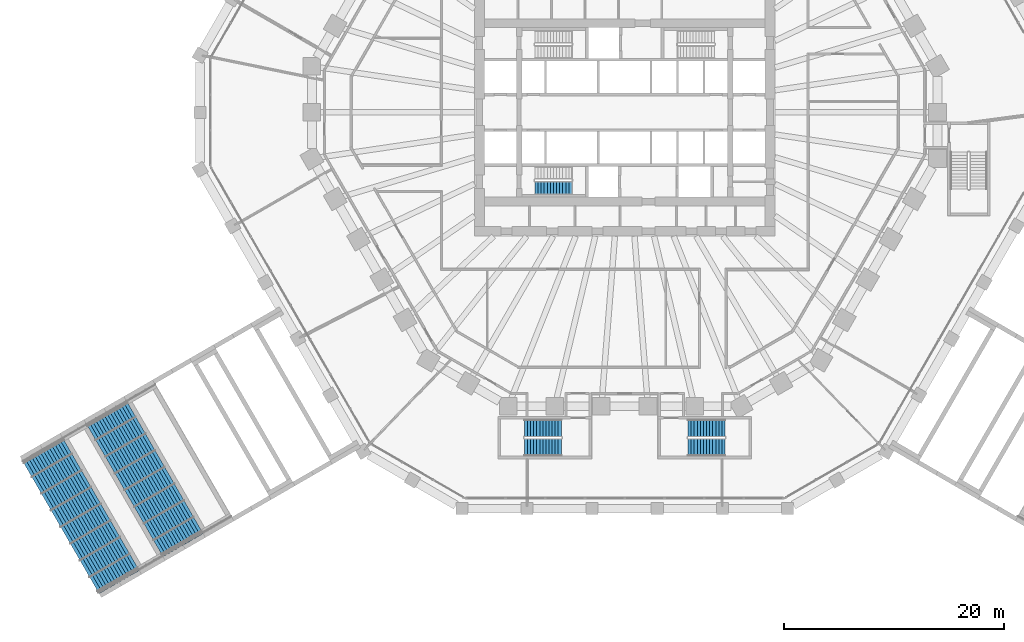
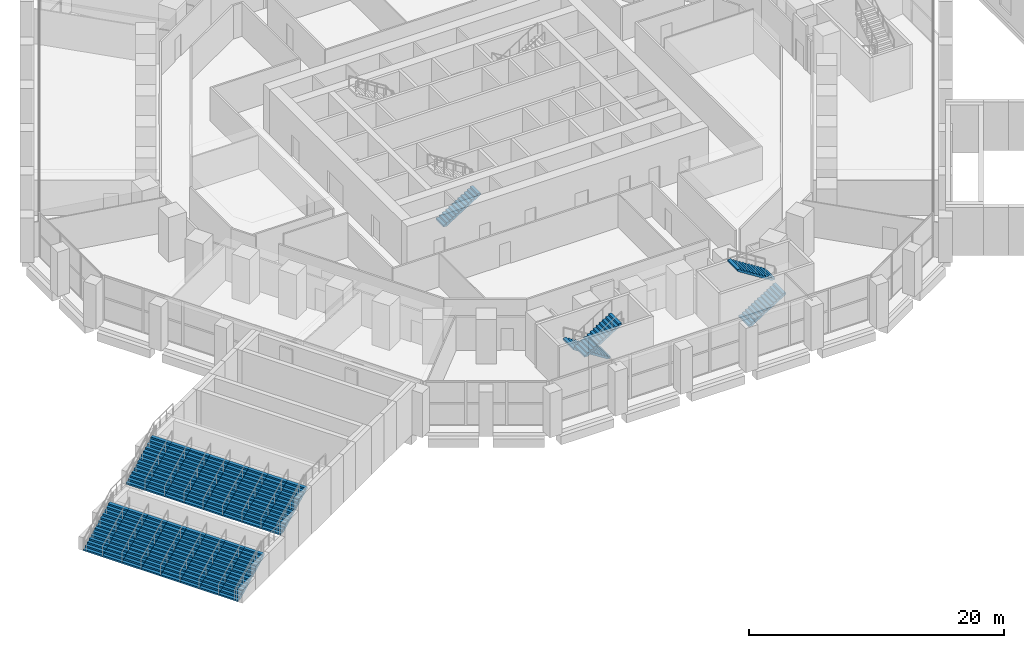
# One storey, part 29 of 38: 21 stair flights, 4 elements without a shape of their own.
"""IFC4 building model written with IfcOpenShell, lengths in metres."""

from ifc_helpers import new_model, si_unit, direction, frame, origin, place, context, subcontext, project, spatial, polyline, outline, extrude, material, layer, layer_set, type_object, element, aggregate, save


model = new_model("IFC4")

# Units and contexts
model_context = context("Model", 3, precision=1e-05, world=origin(), true_north=direction((0.0, 1.0)))
body_context = subcontext(model_context, "Body", "Model", "MODEL_VIEW")
ifc_project = project(units=[si_unit("LENGTHUNIT", "METRE"), si_unit("AREAUNIT", "SQUARE_METRE"), si_unit("VOLUMEUNIT", "CUBIC_METRE"), si_unit("PLANEANGLEUNIT", "RADIAN"), si_unit("MASSUNIT", "GRAM", prefix="KILO")], contexts=[model_context])

# Site, building, storey
site_placement = place(None, origin())
site = spatial("IfcSite", under=ifc_project, at=site_placement, CompositionType="ELEMENT")
building_placement = place(site_placement, origin())
building = spatial("IfcBuilding", under=site, at=building_placement, Name="Frailejon Research Tower", CompositionType="ELEMENT")
storey_placement = place(building_placement, frame((0.0, 0.0, 5.60009765625)))
storey = spatial("IfcBuildingStorey", under=building, at=storey_placement, Name="L01", CompositionType="ELEMENT", Elevation=5.60009765625)

# Stair, stair flights
ifc_material_1 = material(Name="Concrete C35/45", Category="concrete")
stair_type_1 = type_object("IfcStairType", Name="Broad stair", PredefinedType="STRAIGHT_RUN_STAIR", material=ifc_material_1)
stair_1_placement = place(storey_placement, origin())
stair_1 = element("IfcStair", 1, at=stair_1_placement, inside=storey, type_object=stair_type_1, Name="Broad stair W2", PredefinedType="STRAIGHT_RUN_STAIR")
ifc_material_2 = material(Name="Concrete C35/45", Category="concrete")
stair_flight_type_1 = type_object("IfcStairFlightType", Name="Broad stair flight", PredefinedType="STRAIGHT", material=ifc_material_2)
stair_flight_1_placement = place(storey_placement, frame((-48.492919921875, -29.0078125, 2.2998046875), z_axis=(0.0, 0.0, 1.0), x_axis=(0.866025403784, 0.5, 0.0)))
stair_flight_1 = element("IfcStairFlight", 2, at=stair_flight_1_placement, type_object=stair_flight_type_1, Name="SS-W2 flight 1", NumberOfRisers=15, NumberOfTreads=14, PredefinedType="STRAIGHT", RiserHeight=0.153333333, TreadLength=0.3, context=body_context, shape_type="SweptSolid", body=[
    extrude(outline(polyline([(0.0, 0.0), (0.0, 0.1533203125), (0.300048828125, 0.1533203125), (0.300048828125, 0.306640625), (0.60009765625, 0.306640625), (0.60009765625, 0.4599609375), (0.89990234375, 0.4599609375), (0.89990234375, 0.61328125), (1.199951171875, 0.61328125), (1.199951171875, 0.7666015625), (1.5, 0.7666015625), (1.5, 0.919921875), (1.800048828125, 0.919921875), (1.800048828125, 1.0732421875), (2.10009765625, 1.0732421875), (2.10009765625, 1.2265625), (2.39990234375, 1.2265625), (2.39990234375, 1.3798828125), (2.699951171875, 1.3798828125), (2.699951171875, 1.533447265625), (3.0, 1.533447265625), (3.0, 1.686767578125), (3.300048828125, 1.686767578125), (3.300048828125, 1.840087890625), (3.60009765625, 1.840087890625), (3.60009765625, 1.993408203125), (3.89990234375, 1.993408203125), (3.89990234375, 2.146728515625), (4.199951171875, 2.146728515625), (4.199951171875, 2.300048828125), (4.199951171875, 1.922119140625), (0.439453125, 0.0), (0.0, 0.0)])), frame((0.0, 0.875, 0.0), z_axis=(0.0, -1.0, 0.0), x_axis=(1.0, 0.0, 0.0)), (0.0, 0.0, 1.0), 1.75),
])
stair_flight_2_placement = place(storey_placement, frame((-47.617919921875, -30.523193359375, 2.2998046875), z_axis=(0.0, 0.0, 1.0), x_axis=(0.866025403784, 0.5, 0.0)))
stair_flight_2 = element("IfcStairFlight", 3, at=stair_flight_2_placement, type_object=stair_flight_type_1, Name="SS-W2 flight 2", NumberOfRisers=15, NumberOfTreads=14, PredefinedType="STRAIGHT", RiserHeight=0.153333333, TreadLength=0.3, context=body_context, shape_type="SweptSolid", body=[
    extrude(outline(polyline([(0.0, 0.0), (0.0, 0.1533203125), (0.300048828125, 0.1533203125), (0.300048828125, 0.306640625), (0.60009765625, 0.306640625), (0.60009765625, 0.4599609375), (0.89990234375, 0.4599609375), (0.89990234375, 0.61328125), (1.199951171875, 0.61328125), (1.199951171875, 0.7666015625), (1.5, 0.7666015625), (1.5, 0.919921875), (1.800048828125, 0.919921875), (1.800048828125, 1.0732421875), (2.10009765625, 1.0732421875), (2.10009765625, 1.2265625), (2.39990234375, 1.2265625), (2.39990234375, 1.3798828125), (2.699951171875, 1.3798828125), (2.699951171875, 1.533447265625), (3.0, 1.533447265625), (3.0, 1.686767578125), (3.300048828125, 1.686767578125), (3.300048828125, 1.840087890625), (3.60009765625, 1.840087890625), (3.60009765625, 1.993408203125), (3.89990234375, 1.993408203125), (3.89990234375, 2.146728515625), (4.199951171875, 2.146728515625), (4.199951171875, 2.300048828125), (4.199951171875, 1.922119140625), (0.439453125, 0.0), (0.0, 0.0)])), frame((0.0, 0.875, 0.0), z_axis=(0.0, -1.0, 0.0), x_axis=(1.0, 0.0, 0.0)), (0.0, 0.0, 1.0), 1.75),
])
stair_flight_3_placement = place(storey_placement, frame((-46.742919921875, -32.038818359375, 2.2998046875), z_axis=(0.0, 0.0, 1.0), x_axis=(0.866025403784, 0.5, 0.0)))
stair_flight_3 = element("IfcStairFlight", 4, at=stair_flight_3_placement, type_object=stair_flight_type_1, Name="SS-W2 flight 3", NumberOfRisers=15, NumberOfTreads=14, PredefinedType="STRAIGHT", RiserHeight=0.153333333, TreadLength=0.3, context=body_context, shape_type="SweptSolid", body=[
    extrude(outline(polyline([(0.0, 0.0), (0.0, 0.1533203125), (0.300048828125, 0.1533203125), (0.300048828125, 0.306640625), (0.60009765625, 0.306640625), (0.60009765625, 0.4599609375), (0.89990234375, 0.4599609375), (0.89990234375, 0.61328125), (1.199951171875, 0.61328125), (1.199951171875, 0.7666015625), (1.5, 0.7666015625), (1.5, 0.919921875), (1.800048828125, 0.919921875), (1.800048828125, 1.0732421875), (2.10009765625, 1.0732421875), (2.10009765625, 1.2265625), (2.39990234375, 1.2265625), (2.39990234375, 1.3798828125), (2.699951171875, 1.3798828125), (2.699951171875, 1.533447265625), (3.0, 1.533447265625), (3.0, 1.686767578125), (3.300048828125, 1.686767578125), (3.300048828125, 1.840087890625), (3.60009765625, 1.840087890625), (3.60009765625, 1.993408203125), (3.89990234375, 1.993408203125), (3.89990234375, 2.146728515625), (4.199951171875, 2.146728515625), (4.199951171875, 2.300048828125), (4.199951171875, 1.922119140625), (0.439453125, 0.0), (0.0, 0.0)])), frame((0.0, 0.875, 0.0), z_axis=(0.0, -1.0, 0.0), x_axis=(1.0, 0.0, 0.0)), (0.0, 0.0, 1.0), 1.75),
])
stair_flight_4_placement = place(storey_placement, frame((-45.867919921875, -33.554443359375, 2.2998046875), z_axis=(0.0, 0.0, 1.0), x_axis=(0.866025403784, 0.5, 0.0)))
stair_flight_4 = element("IfcStairFlight", 5, at=stair_flight_4_placement, type_object=stair_flight_type_1, Name="SS-W2 flight 4", NumberOfRisers=15, NumberOfTreads=14, PredefinedType="STRAIGHT", RiserHeight=0.153333333, TreadLength=0.3, context=body_context, shape_type="SweptSolid", body=[
    extrude(outline(polyline([(0.0, 0.0), (0.0, 0.1533203125), (0.300048828125, 0.1533203125), (0.300048828125, 0.306640625), (0.60009765625, 0.306640625), (0.60009765625, 0.4599609375), (0.89990234375, 0.4599609375), (0.89990234375, 0.61328125), (1.199951171875, 0.61328125), (1.199951171875, 0.7666015625), (1.5, 0.7666015625), (1.5, 0.919921875), (1.800048828125, 0.919921875), (1.800048828125, 1.0732421875), (2.10009765625, 1.0732421875), (2.10009765625, 1.2265625), (2.39990234375, 1.2265625), (2.39990234375, 1.3798828125), (2.699951171875, 1.3798828125), (2.699951171875, 1.533447265625), (3.0, 1.533447265625), (3.0, 1.686767578125), (3.300048828125, 1.686767578125), (3.300048828125, 1.840087890625), (3.60009765625, 1.840087890625), (3.60009765625, 1.993408203125), (3.89990234375, 1.993408203125), (3.89990234375, 2.146728515625), (4.199951171875, 2.146728515625), (4.199951171875, 2.300048828125), (4.199951171875, 1.922119140625), (0.439453125, 0.0), (0.0, 0.0)])), frame((0.0, 0.875, 0.0), z_axis=(0.0, -1.0, 0.0), x_axis=(1.0, 0.0, 0.0)), (0.0, 0.0, 1.0), 1.75),
])
stair_flight_5_placement = place(storey_placement, frame((-44.992919921875, -35.070068359375, 2.2998046875), z_axis=(0.0, 0.0, 1.0), x_axis=(0.866025403784, 0.5, 0.0)))
stair_flight_5 = element("IfcStairFlight", 6, at=stair_flight_5_placement, type_object=stair_flight_type_1, Name="SS-W2 flight 5", NumberOfRisers=15, NumberOfTreads=14, PredefinedType="STRAIGHT", RiserHeight=0.153333333, TreadLength=0.3, context=body_context, shape_type="SweptSolid", body=[
    extrude(outline(polyline([(0.0, 0.0), (0.0, 0.1533203125), (0.300048828125, 0.1533203125), (0.300048828125, 0.306640625), (0.60009765625, 0.306640625), (0.60009765625, 0.4599609375), (0.89990234375, 0.4599609375), (0.89990234375, 0.61328125), (1.199951171875, 0.61328125), (1.199951171875, 0.7666015625), (1.5, 0.7666015625), (1.5, 0.919921875), (1.800048828125, 0.919921875), (1.800048828125, 1.0732421875), (2.10009765625, 1.0732421875), (2.10009765625, 1.2265625), (2.39990234375, 1.2265625), (2.39990234375, 1.3798828125), (2.699951171875, 1.3798828125), (2.699951171875, 1.533447265625), (3.0, 1.533447265625), (3.0, 1.686767578125), (3.300048828125, 1.686767578125), (3.300048828125, 1.840087890625), (3.60009765625, 1.840087890625), (3.60009765625, 1.993408203125), (3.89990234375, 1.993408203125), (3.89990234375, 2.146728515625), (4.199951171875, 2.146728515625), (4.199951171875, 2.300048828125), (4.199951171875, 1.922119140625), (0.439453125, 0.0), (0.0, 0.0)])), frame((0.0, 0.875, 0.0), z_axis=(0.0, -1.0, 0.0), x_axis=(1.0, 0.0, 0.0)), (0.0, 0.0, 1.0), 1.75),
])
stair_flight_6_placement = place(storey_placement, frame((-44.117919921875, -36.58544921875, 2.2998046875), z_axis=(0.0, 0.0, 1.0), x_axis=(0.866025403784, 0.5, 0.0)))
stair_flight_6 = element("IfcStairFlight", 7, at=stair_flight_6_placement, type_object=stair_flight_type_1, Name="SS-W2 flight 6", NumberOfRisers=15, NumberOfTreads=14, PredefinedType="STRAIGHT", RiserHeight=0.153333333, TreadLength=0.3, context=body_context, shape_type="SweptSolid", body=[
    extrude(outline(polyline([(0.0, 0.0), (0.0, 0.1533203125), (0.300048828125, 0.1533203125), (0.300048828125, 0.306640625), (0.60009765625, 0.306640625), (0.60009765625, 0.4599609375), (0.89990234375, 0.4599609375), (0.89990234375, 0.61328125), (1.199951171875, 0.61328125), (1.199951171875, 0.7666015625), (1.5, 0.7666015625), (1.5, 0.919921875), (1.800048828125, 0.919921875), (1.800048828125, 1.0732421875), (2.10009765625, 1.0732421875), (2.10009765625, 1.2265625), (2.39990234375, 1.2265625), (2.39990234375, 1.3798828125), (2.699951171875, 1.3798828125), (2.699951171875, 1.533447265625), (3.0, 1.533447265625), (3.0, 1.686767578125), (3.300048828125, 1.686767578125), (3.300048828125, 1.840087890625), (3.60009765625, 1.840087890625), (3.60009765625, 1.993408203125), (3.89990234375, 1.993408203125), (3.89990234375, 2.146728515625), (4.199951171875, 2.146728515625), (4.199951171875, 2.300048828125), (4.199951171875, 1.922119140625), (0.439453125, 0.0), (0.0, 0.0)])), frame((0.0, 0.875, 0.0), z_axis=(0.0, -1.0, 0.0), x_axis=(1.0, 0.0, 0.0)), (0.0, 0.0, 1.0), 1.75),
])
stair_flight_7_placement = place(storey_placement, frame((-43.242919921875, -38.10107421875, 2.2998046875), z_axis=(0.0, 0.0, 1.0), x_axis=(0.866025403784, 0.5, 0.0)))
stair_flight_7 = element("IfcStairFlight", 8, at=stair_flight_7_placement, type_object=stair_flight_type_1, Name="SS-W2 flight 7", NumberOfRisers=15, NumberOfTreads=14, PredefinedType="STRAIGHT", RiserHeight=0.153333333, TreadLength=0.3, context=body_context, shape_type="SweptSolid", body=[
    extrude(outline(polyline([(0.0, 0.0), (0.0, 0.1533203125), (0.300048828125, 0.1533203125), (0.300048828125, 0.306640625), (0.60009765625, 0.306640625), (0.60009765625, 0.4599609375), (0.89990234375, 0.4599609375), (0.89990234375, 0.61328125), (1.199951171875, 0.61328125), (1.199951171875, 0.7666015625), (1.5, 0.7666015625), (1.5, 0.919921875), (1.800048828125, 0.919921875), (1.800048828125, 1.0732421875), (2.10009765625, 1.0732421875), (2.10009765625, 1.2265625), (2.39990234375, 1.2265625), (2.39990234375, 1.3798828125), (2.699951171875, 1.3798828125), (2.699951171875, 1.533447265625), (3.0, 1.533447265625), (3.0, 1.686767578125), (3.300048828125, 1.686767578125), (3.300048828125, 1.840087890625), (3.60009765625, 1.840087890625), (3.60009765625, 1.993408203125), (3.89990234375, 1.993408203125), (3.89990234375, 2.146728515625), (4.199951171875, 2.146728515625), (4.199951171875, 2.300048828125), (4.199951171875, 1.922119140625), (0.439453125, 0.0), (0.0, 0.0)])), frame((0.0, 0.875, 0.0), z_axis=(0.0, -1.0, 0.0), x_axis=(1.0, 0.0, 0.0)), (0.0, 0.0, 1.0), 1.75),
])
stair_flight_8_placement = place(storey_placement, frame((-42.367919921875, -39.61669921875, 2.2998046875), z_axis=(0.0, 0.0, 1.0), x_axis=(0.866025403784, 0.5, 0.0)))
stair_flight_8 = element("IfcStairFlight", 9, at=stair_flight_8_placement, type_object=stair_flight_type_1, Name="SS-W2 flight 8", NumberOfRisers=15, NumberOfTreads=14, PredefinedType="STRAIGHT", RiserHeight=0.153333333, TreadLength=0.3, context=body_context, shape_type="SweptSolid", body=[
    extrude(outline(polyline([(0.0, 0.0), (0.0, 0.1533203125), (0.300048828125, 0.1533203125), (0.300048828125, 0.306640625), (0.60009765625, 0.306640625), (0.60009765625, 0.4599609375), (0.89990234375, 0.4599609375), (0.89990234375, 0.61328125), (1.199951171875, 0.61328125), (1.199951171875, 0.7666015625), (1.5, 0.7666015625), (1.5, 0.919921875), (1.800048828125, 0.919921875), (1.800048828125, 1.0732421875), (2.10009765625, 1.0732421875), (2.10009765625, 1.2265625), (2.39990234375, 1.2265625), (2.39990234375, 1.3798828125), (2.699951171875, 1.3798828125), (2.699951171875, 1.533447265625), (3.0, 1.533447265625), (3.0, 1.686767578125), (3.300048828125, 1.686767578125), (3.300048828125, 1.840087890625), (3.60009765625, 1.840087890625), (3.60009765625, 1.993408203125), (3.89990234375, 1.993408203125), (3.89990234375, 2.146728515625), (4.199951171875, 2.146728515625), (4.199951171875, 2.300048828125), (4.199951171875, 1.922119140625), (0.439453125, 0.0), (0.0, 0.0)])), frame((0.0, 0.875, 0.0), z_axis=(0.0, -1.0, 0.0), x_axis=(1.0, 0.0, 0.0)), (0.0, 0.0, 1.0), 1.75),
])
stair_flight_9_placement = place(storey_placement, frame((-54.29541015625, -32.35791015625, 0.0), z_axis=(0.0, 0.0, 1.0), x_axis=(0.866025403784, 0.5, 0.0)))
stair_flight_9 = element("IfcStairFlight", 10, at=stair_flight_9_placement, type_object=stair_flight_type_1, Name="SS-W2 flight 9", NumberOfRisers=15, NumberOfTreads=14, PredefinedType="STRAIGHT", RiserHeight=0.153333333, TreadLength=0.3, context=body_context, shape_type="SweptSolid", body=[
    extrude(outline(polyline([(0.0, 0.0), (0.0, 0.1533203125), (0.300048828125, 0.1533203125), (0.300048828125, 0.306640625), (0.60009765625, 0.306640625), (0.60009765625, 0.4599609375), (0.89990234375, 0.4599609375), (0.89990234375, 0.61328125), (1.199951171875, 0.61328125), (1.199951171875, 0.7666015625), (1.5, 0.7666015625), (1.5, 0.919921875), (1.800048828125, 0.919921875), (1.800048828125, 1.0732421875), (2.10009765625, 1.0732421875), (2.10009765625, 1.2265625), (2.39990234375, 1.2265625), (2.39990234375, 1.3798828125), (2.699951171875, 1.3798828125), (2.699951171875, 1.533447265625), (3.0, 1.533447265625), (3.0, 1.686767578125), (3.300048828125, 1.686767578125), (3.300048828125, 1.840087890625), (3.60009765625, 1.840087890625), (3.60009765625, 1.993408203125), (3.89990234375, 1.993408203125), (3.89990234375, 2.146728515625), (4.199951171875, 2.146728515625), (4.199951171875, 2.300048828125), (4.199951171875, 1.922119140625), (0.439453125, 0.0), (0.0, 0.0)])), frame((0.0, 0.875, 0.0), z_axis=(0.0, -1.0, 0.0), x_axis=(1.0, 0.0, 0.0)), (0.0, 0.0, 1.0), 1.75),
])
stair_flight_10_placement = place(storey_placement, frame((-53.42041015625, -33.873291015625, 0.0), z_axis=(0.0, 0.0, 1.0), x_axis=(0.866025403784, 0.5, 0.0)))
stair_flight_10 = element("IfcStairFlight", 11, at=stair_flight_10_placement, type_object=stair_flight_type_1, Name="SS-W2 flight 10", NumberOfRisers=15, NumberOfTreads=14, PredefinedType="STRAIGHT", RiserHeight=0.153333333, TreadLength=0.3, context=body_context, shape_type="SweptSolid", body=[
    extrude(outline(polyline([(0.0, 0.0), (0.0, 0.1533203125), (0.300048828125, 0.1533203125), (0.300048828125, 0.306640625), (0.60009765625, 0.306640625), (0.60009765625, 0.4599609375), (0.89990234375, 0.4599609375), (0.89990234375, 0.61328125), (1.199951171875, 0.61328125), (1.199951171875, 0.7666015625), (1.5, 0.7666015625), (1.5, 0.919921875), (1.800048828125, 0.919921875), (1.800048828125, 1.0732421875), (2.10009765625, 1.0732421875), (2.10009765625, 1.2265625), (2.39990234375, 1.2265625), (2.39990234375, 1.3798828125), (2.699951171875, 1.3798828125), (2.699951171875, 1.533447265625), (3.0, 1.533447265625), (3.0, 1.686767578125), (3.300048828125, 1.686767578125), (3.300048828125, 1.840087890625), (3.60009765625, 1.840087890625), (3.60009765625, 1.993408203125), (3.89990234375, 1.993408203125), (3.89990234375, 2.146728515625), (4.199951171875, 2.146728515625), (4.199951171875, 2.300048828125), (4.199951171875, 1.922119140625), (0.439453125, 0.0), (0.0, 0.0)])), frame((0.0, 0.875, 0.0), z_axis=(0.0, -1.0, 0.0), x_axis=(1.0, 0.0, 0.0)), (0.0, 0.0, 1.0), 1.75),
])
stair_flight_11_placement = place(storey_placement, frame((-52.54541015625, -35.388916015625, 0.0), z_axis=(0.0, 0.0, 1.0), x_axis=(0.866025403784, 0.5, 0.0)))
stair_flight_11 = element("IfcStairFlight", 12, at=stair_flight_11_placement, type_object=stair_flight_type_1, Name="SS-W2 flight 11", NumberOfRisers=15, NumberOfTreads=14, PredefinedType="STRAIGHT", RiserHeight=0.153333333, TreadLength=0.3, context=body_context, shape_type="SweptSolid", body=[
    extrude(outline(polyline([(0.0, 0.0), (0.0, 0.1533203125), (0.300048828125, 0.1533203125), (0.300048828125, 0.306640625), (0.60009765625, 0.306640625), (0.60009765625, 0.4599609375), (0.89990234375, 0.4599609375), (0.89990234375, 0.61328125), (1.199951171875, 0.61328125), (1.199951171875, 0.7666015625), (1.5, 0.7666015625), (1.5, 0.919921875), (1.800048828125, 0.919921875), (1.800048828125, 1.0732421875), (2.10009765625, 1.0732421875), (2.10009765625, 1.2265625), (2.39990234375, 1.2265625), (2.39990234375, 1.3798828125), (2.699951171875, 1.3798828125), (2.699951171875, 1.533447265625), (3.0, 1.533447265625), (3.0, 1.686767578125), (3.300048828125, 1.686767578125), (3.300048828125, 1.840087890625), (3.60009765625, 1.840087890625), (3.60009765625, 1.993408203125), (3.89990234375, 1.993408203125), (3.89990234375, 2.146728515625), (4.199951171875, 2.146728515625), (4.199951171875, 2.300048828125), (4.199951171875, 1.922119140625), (0.439453125, 0.0), (0.0, 0.0)])), frame((0.0, 0.875, 0.0), z_axis=(0.0, -1.0, 0.0), x_axis=(1.0, 0.0, 0.0)), (0.0, 0.0, 1.0), 1.75),
])
stair_flight_12_placement = place(storey_placement, frame((-51.67041015625, -36.904296875, 0.0), z_axis=(0.0, 0.0, 1.0), x_axis=(0.866025403784, 0.5, 0.0)))
stair_flight_12 = element("IfcStairFlight", 13, at=stair_flight_12_placement, type_object=stair_flight_type_1, Name="SS-W2 flight 12", NumberOfRisers=15, NumberOfTreads=14, PredefinedType="STRAIGHT", RiserHeight=0.153333333, TreadLength=0.3, context=body_context, shape_type="SweptSolid", body=[
    extrude(outline(polyline([(0.0, 0.0), (0.0, 0.1533203125), (0.300048828125, 0.1533203125), (0.300048828125, 0.306640625), (0.60009765625, 0.306640625), (0.60009765625, 0.4599609375), (0.89990234375, 0.4599609375), (0.89990234375, 0.61328125), (1.199951171875, 0.61328125), (1.199951171875, 0.7666015625), (1.5, 0.7666015625), (1.5, 0.919921875), (1.800048828125, 0.919921875), (1.800048828125, 1.0732421875), (2.10009765625, 1.0732421875), (2.10009765625, 1.2265625), (2.39990234375, 1.2265625), (2.39990234375, 1.3798828125), (2.699951171875, 1.3798828125), (2.699951171875, 1.533447265625), (3.0, 1.533447265625), (3.0, 1.686767578125), (3.300048828125, 1.686767578125), (3.300048828125, 1.840087890625), (3.60009765625, 1.840087890625), (3.60009765625, 1.993408203125), (3.89990234375, 1.993408203125), (3.89990234375, 2.146728515625), (4.199951171875, 2.146728515625), (4.199951171875, 2.300048828125), (4.199951171875, 1.922119140625), (0.439453125, 0.0), (0.0, 0.0)])), frame((0.0, 0.875, 0.0), z_axis=(0.0, -1.0, 0.0), x_axis=(1.0, 0.0, 0.0)), (0.0, 0.0, 1.0), 1.75),
])
stair_flight_13_placement = place(storey_placement, frame((-50.79541015625, -38.419921875, 0.0), z_axis=(0.0, 0.0, 1.0), x_axis=(0.866025403784, 0.5, 0.0)))
stair_flight_13 = element("IfcStairFlight", 14, at=stair_flight_13_placement, type_object=stair_flight_type_1, Name="SS-W2 flight 13", NumberOfRisers=15, NumberOfTreads=14, PredefinedType="STRAIGHT", RiserHeight=0.153333333, TreadLength=0.3, context=body_context, shape_type="SweptSolid", body=[
    extrude(outline(polyline([(0.0, 0.0), (0.0, 0.1533203125), (0.300048828125, 0.1533203125), (0.300048828125, 0.306640625), (0.60009765625, 0.306640625), (0.60009765625, 0.4599609375), (0.89990234375, 0.4599609375), (0.89990234375, 0.61328125), (1.199951171875, 0.61328125), (1.199951171875, 0.7666015625), (1.5, 0.7666015625), (1.5, 0.919921875), (1.800048828125, 0.919921875), (1.800048828125, 1.0732421875), (2.10009765625, 1.0732421875), (2.10009765625, 1.2265625), (2.39990234375, 1.2265625), (2.39990234375, 1.3798828125), (2.699951171875, 1.3798828125), (2.699951171875, 1.533447265625), (3.0, 1.533447265625), (3.0, 1.686767578125), (3.300048828125, 1.686767578125), (3.300048828125, 1.840087890625), (3.60009765625, 1.840087890625), (3.60009765625, 1.993408203125), (3.89990234375, 1.993408203125), (3.89990234375, 2.146728515625), (4.199951171875, 2.146728515625), (4.199951171875, 2.300048828125), (4.199951171875, 1.922119140625), (0.439453125, 0.0), (0.0, 0.0)])), frame((0.0, 0.875, 0.0), z_axis=(0.0, -1.0, 0.0), x_axis=(1.0, 0.0, 0.0)), (0.0, 0.0, 1.0), 1.75),
])
stair_flight_14_placement = place(storey_placement, frame((-49.92041015625, -39.935546875, 0.0), z_axis=(0.0, 0.0, 1.0), x_axis=(0.866025403784, 0.5, 0.0)))
stair_flight_14 = element("IfcStairFlight", 15, at=stair_flight_14_placement, type_object=stair_flight_type_1, Name="SS-W2 flight 14", NumberOfRisers=15, NumberOfTreads=14, PredefinedType="STRAIGHT", RiserHeight=0.153333333, TreadLength=0.3, context=body_context, shape_type="SweptSolid", body=[
    extrude(outline(polyline([(0.0, 0.0), (0.0, 0.1533203125), (0.300048828125, 0.1533203125), (0.300048828125, 0.306640625), (0.60009765625, 0.306640625), (0.60009765625, 0.4599609375), (0.89990234375, 0.4599609375), (0.89990234375, 0.61328125), (1.199951171875, 0.61328125), (1.199951171875, 0.7666015625), (1.5, 0.7666015625), (1.5, 0.919921875), (1.800048828125, 0.919921875), (1.800048828125, 1.0732421875), (2.10009765625, 1.0732421875), (2.10009765625, 1.2265625), (2.39990234375, 1.2265625), (2.39990234375, 1.3798828125), (2.699951171875, 1.3798828125), (2.699951171875, 1.533447265625), (3.0, 1.533447265625), (3.0, 1.686767578125), (3.300048828125, 1.686767578125), (3.300048828125, 1.840087890625), (3.60009765625, 1.840087890625), (3.60009765625, 1.993408203125), (3.89990234375, 1.993408203125), (3.89990234375, 2.146728515625), (4.199951171875, 2.146728515625), (4.199951171875, 2.300048828125), (4.199951171875, 1.922119140625), (0.439453125, 0.0), (0.0, 0.0)])), frame((0.0, 0.875, 0.0), z_axis=(0.0, -1.0, 0.0), x_axis=(1.0, 0.0, 0.0)), (0.0, 0.0, 1.0), 1.75),
])
stair_flight_15_placement = place(storey_placement, frame((-49.04541015625, -41.450927734375, 0.0), z_axis=(0.0, 0.0, 1.0), x_axis=(0.866025403784, 0.5, 0.0)))
stair_flight_15 = element("IfcStairFlight", 16, at=stair_flight_15_placement, type_object=stair_flight_type_1, Name="SS-W2 flight 15", NumberOfRisers=15, NumberOfTreads=14, PredefinedType="STRAIGHT", RiserHeight=0.153333333, TreadLength=0.3, context=body_context, shape_type="SweptSolid", body=[
    extrude(outline(polyline([(0.0, 0.0), (0.0, 0.1533203125), (0.300048828125, 0.1533203125), (0.300048828125, 0.306640625), (0.60009765625, 0.306640625), (0.60009765625, 0.4599609375), (0.89990234375, 0.4599609375), (0.89990234375, 0.61328125), (1.199951171875, 0.61328125), (1.199951171875, 0.7666015625), (1.5, 0.7666015625), (1.5, 0.919921875), (1.800048828125, 0.919921875), (1.800048828125, 1.0732421875), (2.10009765625, 1.0732421875), (2.10009765625, 1.2265625), (2.39990234375, 1.2265625), (2.39990234375, 1.3798828125), (2.699951171875, 1.3798828125), (2.699951171875, 1.533447265625), (3.0, 1.533447265625), (3.0, 1.686767578125), (3.300048828125, 1.686767578125), (3.300048828125, 1.840087890625), (3.60009765625, 1.840087890625), (3.60009765625, 1.993408203125), (3.89990234375, 1.993408203125), (3.89990234375, 2.146728515625), (4.199951171875, 2.146728515625), (4.199951171875, 2.300048828125), (4.199951171875, 1.922119140625), (0.439453125, 0.0), (0.0, 0.0)])), frame((0.0, 0.875, 0.0), z_axis=(0.0, -1.0, 0.0), x_axis=(1.0, 0.0, 0.0)), (0.0, 0.0, 1.0), 1.75),
])
stair_flight_16_placement = place(storey_placement, frame((-48.17041015625, -42.966552734375, 0.0), z_axis=(0.0, 0.0, 1.0), x_axis=(0.866025403784, 0.5, 0.0)))
stair_flight_16 = element("IfcStairFlight", 17, at=stair_flight_16_placement, type_object=stair_flight_type_1, Name="SS-W2 flight 16", NumberOfRisers=15, NumberOfTreads=14, PredefinedType="STRAIGHT", RiserHeight=0.153333333, TreadLength=0.3, context=body_context, shape_type="SweptSolid", body=[
    extrude(outline(polyline([(0.0, 0.0), (0.0, 0.1533203125), (0.300048828125, 0.1533203125), (0.300048828125, 0.306640625), (0.60009765625, 0.306640625), (0.60009765625, 0.4599609375), (0.89990234375, 0.4599609375), (0.89990234375, 0.61328125), (1.199951171875, 0.61328125), (1.199951171875, 0.7666015625), (1.5, 0.7666015625), (1.5, 0.919921875), (1.800048828125, 0.919921875), (1.800048828125, 1.0732421875), (2.10009765625, 1.0732421875), (2.10009765625, 1.2265625), (2.39990234375, 1.2265625), (2.39990234375, 1.3798828125), (2.699951171875, 1.3798828125), (2.699951171875, 1.533447265625), (3.0, 1.533447265625), (3.0, 1.686767578125), (3.300048828125, 1.686767578125), (3.300048828125, 1.840087890625), (3.60009765625, 1.840087890625), (3.60009765625, 1.993408203125), (3.89990234375, 1.993408203125), (3.89990234375, 2.146728515625), (4.199951171875, 2.146728515625), (4.199951171875, 2.300048828125), (4.199951171875, 1.922119140625), (0.439453125, 0.0), (0.0, 0.0)])), frame((0.0, 0.875, 0.0), z_axis=(0.0, -1.0, 0.0), x_axis=(1.0, 0.0, 0.0)), (0.0, 0.0, 1.0), 1.75),
])
aggregate(stair_1, [stair_flight_1, stair_flight_2, stair_flight_3, stair_flight_4, stair_flight_5, stair_flight_6, stair_flight_7, stair_flight_8, stair_flight_9, stair_flight_10, stair_flight_11, stair_flight_12, stair_flight_13, stair_flight_14, stair_flight_15, stair_flight_16])

# Stair, stair flight
ifc_material_3 = material(Name="Concrete C50/60", Category="concrete")
stair_type_2 = type_object("IfcStairType", Name="Exit stair 26 risers", PredefinedType="HALF_TURN_STAIR", material=ifc_material_3)
stair_2_placement = place(storey_placement, origin())
stair_2 = element("IfcStair", 18, at=stair_2_placement, inside=storey, type_object=stair_type_2, Name="L01 Exit stair ST2", PredefinedType="HALF_TURN_STAIR")
ifc_material_4 = material(Name="Concrete C50/60", Category="concrete")
ifc_layer = layer(ifc_material_4, 0.14990234375)
ifc_layer_set = layer_set([ifc_layer], Name="Stair flight 13 risers")
stair_flight_type_2 = type_object("IfcStairFlightType", Name="Stair flight 13 risers", PredefinedType="STRAIGHT", material=ifc_layer_set)
stair_flight_17_placement = place(storey_placement, frame((-8.14990234375, -6.85009765625, 0.0), z_axis=(0.0, 0.0, 1.0), x_axis=(1.0, 0.0, 0.0)))
stair_flight_17 = element("IfcStairFlight", 19, at=stair_flight_17_placement, type_object=stair_flight_type_2, Name="ST2 flight 1", NumberOfRisers=13, NumberOfTreads=12, PredefinedType="STRAIGHT", RiserHeight=0.176923077, TreadLength=0.28, context=body_context, shape_type="SweptSolid", body=[
    extrude(outline(polyline([(0.0, 0.0), (0.0, 0.177001953125), (0.280029296875, 0.177001953125), (0.280029296875, 0.353759765625), (0.56005859375, 0.353759765625), (0.56005859375, 0.53076171875), (0.840087890625, 0.53076171875), (0.840087890625, 0.707763671875), (1.1201171875, 0.707763671875), (1.1201171875, 0.884521484375), (1.39990234375, 0.884521484375), (1.39990234375, 1.0615234375), (1.679931640625, 1.0615234375), (1.679931640625, 1.238525390625), (1.9599609375, 1.238525390625), (1.9599609375, 1.415283203125), (2.239990234375, 1.415283203125), (2.239990234375, 1.59228515625), (2.52001953125, 1.59228515625), (2.52001953125, 1.769287109375), (2.800048828125, 1.769287109375), (2.800048828125, 1.946044921875), (3.080078125, 1.946044921875), (3.080078125, 2.123046875), (3.360107421875, 2.123046875), (3.360107421875, 2.300048828125), (3.360107421875, 1.94580078125), (0.280517578125, 0.0), (0.0, 0.0)])), frame((0.0, 0.60009765625, 0.0), z_axis=(0.0, -1.0, 0.0), x_axis=(1.0, 0.0, 0.0)), (0.0, 0.0, 1.0), 1.199951171875),
])
aggregate(stair_2, [stair_flight_17])

# Stair, stair flights
stair_3_placement = place(storey_placement, origin())
stair_3 = element("IfcStair", 20, at=stair_3_placement, inside=storey, type_object=stair_type_2, Name="L01 Exit stair PS3", PredefinedType="HALF_TURN_STAIR")
stair_flight_18_placement = place(storey_placement, frame((-5.7568359375, -28.675048828125, 0.0), z_axis=(0.0, 0.0, 1.0), x_axis=(-1.0, 0.0, 0.0)))
stair_flight_18 = element("IfcStairFlight", 21, at=stair_flight_18_placement, type_object=stair_flight_type_2, Name="PS3 flight 1", NumberOfRisers=13, NumberOfTreads=12, PredefinedType="STRAIGHT", RiserHeight=0.176923077, TreadLength=0.28, context=body_context, shape_type="SweptSolid", body=[
    extrude(outline(polyline([(0.0, 0.0), (0.0, 0.177001953125), (0.280029296875, 0.177001953125), (0.280029296875, 0.353759765625), (0.56005859375, 0.353759765625), (0.56005859375, 0.53076171875), (0.840087890625, 0.53076171875), (0.840087890625, 0.707763671875), (1.1201171875, 0.707763671875), (1.1201171875, 0.884521484375), (1.39990234375, 0.884521484375), (1.39990234375, 1.0615234375), (1.679931640625, 1.0615234375), (1.679931640625, 1.238525390625), (1.9599609375, 1.238525390625), (1.9599609375, 1.415283203125), (2.239990234375, 1.415283203125), (2.239990234375, 1.59228515625), (2.52001953125, 1.59228515625), (2.52001953125, 1.769287109375), (2.800048828125, 1.769287109375), (2.800048828125, 1.946044921875), (3.080078125, 1.946044921875), (3.080078125, 2.123046875), (3.360107421875, 2.123046875), (3.360107421875, 2.300048828125), (3.360107421875, 1.94580078125), (0.280517578125, 0.0), (0.0, 0.0)])), frame((0.0, 0.800048828125, 0.0), z_axis=(0.0, -1.0, 0.0), x_axis=(1.0, 0.0, 0.0)), (0.0, 0.0, 1.0), 1.60009765625),
])
stair_flight_19_placement = place(storey_placement, frame((-9.116943359375, -30.425048828125, 2.2998046875), z_axis=(0.0, 0.0, 1.0), x_axis=(1.0, 0.0, 0.0)))
stair_flight_19 = element("IfcStairFlight", 22, at=stair_flight_19_placement, type_object=stair_flight_type_2, Name="PS3 flight 2", NumberOfRisers=13, NumberOfTreads=12, PredefinedType="STRAIGHT", RiserHeight=0.176923077, TreadLength=0.28, context=body_context, shape_type="SweptSolid", body=[
    extrude(outline(polyline([(0.0, 0.0), (0.0, 0.177001953125), (0.280029296875, 0.177001953125), (0.280029296875, 0.353759765625), (0.56005859375, 0.353759765625), (0.56005859375, 0.53076171875), (0.840087890625, 0.53076171875), (0.840087890625, 0.707763671875), (1.1201171875, 0.707763671875), (1.1201171875, 0.884521484375), (1.39990234375, 0.884521484375), (1.39990234375, 1.0615234375), (1.679931640625, 1.0615234375), (1.679931640625, 1.238525390625), (1.9599609375, 1.238525390625), (1.9599609375, 1.415283203125), (2.239990234375, 1.415283203125), (2.239990234375, 1.59228515625), (2.52001953125, 1.59228515625), (2.52001953125, 1.769287109375), (2.800048828125, 1.769287109375), (2.800048828125, 1.946044921875), (3.080078125, 1.946044921875), (3.080078125, 2.123046875), (3.360107421875, 2.123046875), (3.360107421875, 2.300048828125), (3.360107421875, 1.94580078125), (0.280517578125, 0.0), (0.0, 0.0)])), frame((0.0, 0.800048828125, 0.0), z_axis=(0.0, -1.0, 0.0), x_axis=(1.0, 0.0, 0.0)), (0.0, 0.0, 1.0), 1.60009765625),
])
aggregate(stair_3, [stair_flight_18, stair_flight_19])

stair_4_placement = place(storey_placement, origin())
stair_4 = element("IfcStair", 23, at=stair_4_placement, inside=storey, type_object=stair_type_2, Name="L01 Exit stair PS4", PredefinedType="HALF_TURN_STAIR")
stair_flight_20_placement = place(storey_placement, frame((5.7568359375, -30.425048828125, 0.0), z_axis=(0.0, 0.0, 1.0), x_axis=(1.0, 0.0, 0.0)))
stair_flight_20 = element("IfcStairFlight", 24, at=stair_flight_20_placement, type_object=stair_flight_type_2, Name="PS4 flight 1", NumberOfRisers=13, NumberOfTreads=12, PredefinedType="STRAIGHT", RiserHeight=0.176923077, TreadLength=0.28, context=body_context, shape_type="SweptSolid", body=[
    extrude(outline(polyline([(0.0, 0.0), (0.0, 0.177001953125), (0.280029296875, 0.177001953125), (0.280029296875, 0.353759765625), (0.56005859375, 0.353759765625), (0.56005859375, 0.53076171875), (0.840087890625, 0.53076171875), (0.840087890625, 0.707763671875), (1.1201171875, 0.707763671875), (1.1201171875, 0.884521484375), (1.39990234375, 0.884521484375), (1.39990234375, 1.0615234375), (1.679931640625, 1.0615234375), (1.679931640625, 1.238525390625), (1.9599609375, 1.238525390625), (1.9599609375, 1.415283203125), (2.239990234375, 1.415283203125), (2.239990234375, 1.59228515625), (2.52001953125, 1.59228515625), (2.52001953125, 1.769287109375), (2.800048828125, 1.769287109375), (2.800048828125, 1.946044921875), (3.080078125, 1.946044921875), (3.080078125, 2.123046875), (3.360107421875, 2.123046875), (3.360107421875, 2.300048828125), (3.360107421875, 1.94580078125), (0.280517578125, 0.0), (0.0, 0.0)])), frame((0.0, 0.800048828125, 0.0), z_axis=(0.0, -1.0, 0.0), x_axis=(1.0, 0.0, 0.0)), (0.0, 0.0, 1.0), 1.60009765625),
])
stair_flight_21_placement = place(storey_placement, frame((9.116943359375, -28.675048828125, 2.2998046875), z_axis=(0.0, 0.0, 1.0), x_axis=(-1.0, 0.0, 0.0)))
stair_flight_21 = element("IfcStairFlight", 25, at=stair_flight_21_placement, type_object=stair_flight_type_2, Name="PS4 flight 2", NumberOfRisers=13, NumberOfTreads=12, PredefinedType="STRAIGHT", RiserHeight=0.176923077, TreadLength=0.28, context=body_context, shape_type="SweptSolid", body=[
    extrude(outline(polyline([(0.0, 0.0), (0.0, 0.177001953125), (0.280029296875, 0.177001953125), (0.280029296875, 0.353759765625), (0.56005859375, 0.353759765625), (0.56005859375, 0.53076171875), (0.840087890625, 0.53076171875), (0.840087890625, 0.707763671875), (1.1201171875, 0.707763671875), (1.1201171875, 0.884521484375), (1.39990234375, 0.884521484375), (1.39990234375, 1.0615234375), (1.679931640625, 1.0615234375), (1.679931640625, 1.238525390625), (1.9599609375, 1.238525390625), (1.9599609375, 1.415283203125), (2.239990234375, 1.415283203125), (2.239990234375, 1.59228515625), (2.52001953125, 1.59228515625), (2.52001953125, 1.769287109375), (2.800048828125, 1.769287109375), (2.800048828125, 1.946044921875), (3.080078125, 1.946044921875), (3.080078125, 2.123046875), (3.360107421875, 2.123046875), (3.360107421875, 2.300048828125), (3.360107421875, 1.94580078125), (0.280517578125, 0.0), (0.0, 0.0)])), frame((0.0, 0.800048828125, 0.0), z_axis=(0.0, -1.0, 0.0), x_axis=(1.0, 0.0, 0.0)), (0.0, 0.0, 1.0), 1.60009765625),
])
aggregate(stair_4, [stair_flight_20, stair_flight_21])

save(model, "model.ifc")
